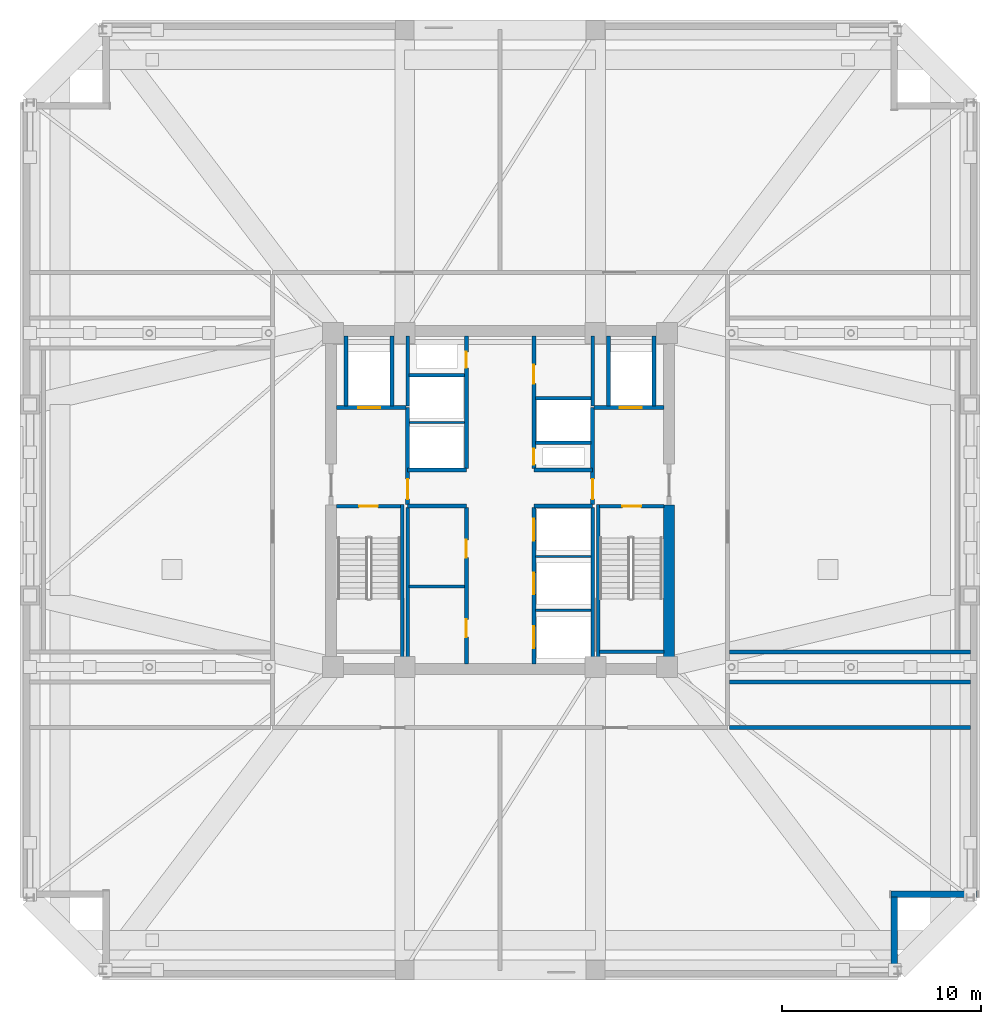
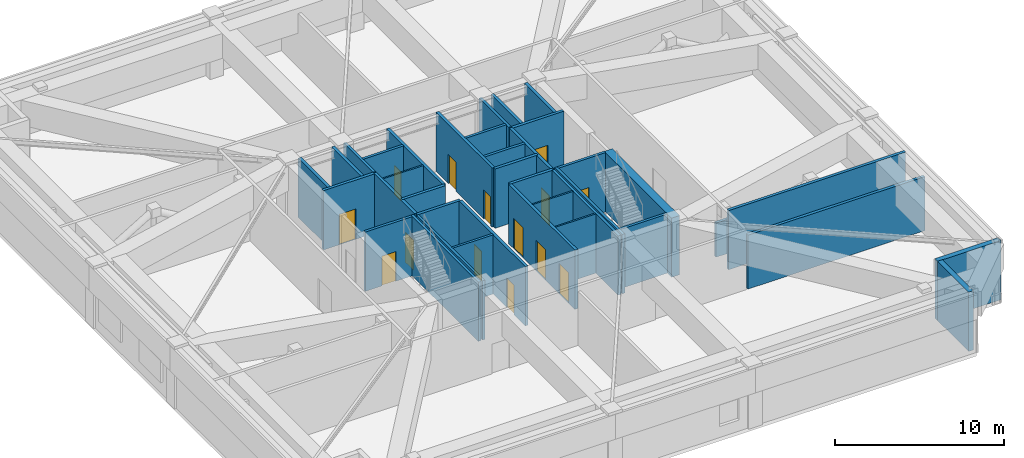
# One storey, part 8 of 13: 38 walls, 14 doors, 14 openings.
"""IFC4 building model written with IfcOpenShell, lengths in metres."""

from ifc_helpers import new_model, si_unit, direction, frame, frame_2d, origin, place, context, subcontext, project, spatial, rectangle, extrude, material, layer, layer_set, type_object, element, fill, save


model = new_model("IFC4")

# Units and contexts
model_context = context("Model", 3, precision=1e-05, world=origin(), true_north=direction((0.0, 1.0)))
body_context = subcontext(model_context, "Body", "Model", "MODEL_VIEW")
ifc_project = project(units=[si_unit("LENGTHUNIT", "METRE"), si_unit("AREAUNIT", "SQUARE_METRE"), si_unit("VOLUMEUNIT", "CUBIC_METRE"), si_unit("PLANEANGLEUNIT", "RADIAN"), si_unit("MASSUNIT", "GRAM", prefix="KILO")], contexts=[model_context])

# Site, building, storey
site_placement = place(None, origin())
site = spatial("IfcSite", under=ifc_project, at=site_placement, CompositionType="ELEMENT")
building_placement = place(site_placement, origin())
building = spatial("IfcBuilding", under=site, at=building_placement, Name="Cairnveth Concourse Tower", CompositionType="ELEMENT")
storey_placement = place(building_placement, frame((0.0, 0.0, 193.5)))
storey = spatial("IfcBuildingStorey", under=building, at=storey_placement, Name="L53", CompositionType="ELEMENT", Elevation=193.5)

# Walls
ifc_material_1 = material(Name="Gypsum Plasterboard Partition", Category="gypsum")
ifc_layer_1 = layer(ifc_material_1, 0.159912109375)
ifc_layer_set_1 = layer_set([ifc_layer_1], Name="Gypsum Plasterboard Partition")
wall_type_1 = type_object("IfcWallType", Name="ACOUSTIC PARTY WALL 180", PredefinedType="PARTITIONING", material=ifc_layer_set_1)
wall_1_placement = place(storey_placement, frame((47.35009765625, 30.760009765625, 0.0), z_axis=(0.0, 0.0, 1.0), x_axis=(0.0, 1.0, 0.0)))
element("IfcWall", 1, at=wall_1_placement, inside=storey, type_object=wall_type_1, Name="Interior Wall IW-L53-025", PredefinedType="PARTITIONING", context=body_context, shape_type="SweptSolid", body=[
    extrude(rectangle(XDim=7.85498046875, YDim=0.159912109375, at=frame_2d((3.927490234375, 0.0))), origin(), (0.0, 0.0, 1.0), 4.2900390625),
])
wall_2_placement = place(storey_placement, frame((47.4150390625, 34.64990234375, 0.0), z_axis=(0.0, 0.0, 1.0), x_axis=(1.0, 0.0, 0.0)))
element("IfcWall", 2, at=wall_2_placement, inside=storey, type_object=wall_type_1, Name="Interior Wall IW-L53-026", PredefinedType="PARTITIONING", context=body_context, shape_type="SweptSolid", body=[
    extrude(rectangle(XDim=2.800048828125, YDim=0.159912109375, at=frame_2d((1.39990234375, 0.0))), origin(), (0.0, 0.0, 1.0), 4.2900390625),
])
ifc_material_2 = material(Name="Concrete N80 (80 MPa)", Category="concrete")
ifc_layer_2 = layer(ifc_material_2, 0.550048828125)
ifc_layer_set_2 = layer_set([ifc_layer_2], Name="Concrete N80 (80 MPa)")
wall_type_2 = type_object("IfcWallType", Name="CORE SHEAR WALL 550", PredefinedType="SHEAR", material=ifc_layer_set_2)
wall_3_placement = place(storey_placement, frame((60.5, 30.764892578125, 0.0), z_axis=(0.0, 0.0, 1.0), x_axis=(0.0, 1.0, 0.0)))
element("IfcWall", 3, at=wall_3_placement, inside=storey, type_object=wall_type_2, Name="Core East Shear Wall S L53", PredefinedType="SHEAR", context=body_context, shape_type="SweptSolid", body=[
    extrude(rectangle(XDim=7.985107421875, YDim=0.550048828125, at=frame_2d((3.99267578125, 0.0))), origin(), (0.0, 0.0, 1.0), 4.2900390625),
])
ifc_material_3 = material(Name="Concrete N50 (50 MPa)", Category="concrete")
ifc_layer_3 = layer(ifc_material_3, 0.179931640625)
ifc_layer_set_3 = layer_set([ifc_layer_3], Name="Concrete N50 (50 MPa)")
wall_type_3 = type_object("IfcWallType", Name="FIRE SHAFT WALL 180", PredefinedType="SOLIDWALL", material=ifc_layer_set_3)
wall_4_placement = place(storey_placement, frame((56.64990234375, 30.760009765625, 0.0), z_axis=(0.0, 0.0, 1.0), x_axis=(0.0, 1.0, 0.0)))
element("IfcWall", 4, at=wall_4_placement, inside=storey, type_object=wall_type_3, Name="Interior Wall IW-L53-027", PredefinedType="SOLIDWALL", context=body_context, shape_type="SweptSolid", body=[
    extrude(rectangle(XDim=7.85498046875, YDim=0.179931640625, at=frame_2d((3.927490234375, 0.0))), origin(), (0.0, 0.0, 1.0), 4.2900390625),
])
wall_5_placement = place(storey_placement, frame((47.35009765625, 43.735107421875, 0.0), z_axis=(0.0, 0.0, 1.0), x_axis=(0.0, 1.0, 0.0)))
element("IfcWall", 5, at=wall_5_placement, inside=storey, type_object=wall_type_3, Name="Interior Wall IW-L53-030", PredefinedType="SOLIDWALL", context=body_context, shape_type="SweptSolid", body=[
    extrude(rectangle(XDim=3.5048828125, YDim=0.179931640625, at=frame_2d((1.75244140625, 0.0))), origin(), (0.0, 0.0, 1.0), 4.2900390625),
])
wall_6_placement = place(storey_placement, frame((47.425048828125, 45.280029296875, 0.0), z_axis=(0.0, 0.0, 1.0), x_axis=(1.0, 0.0, 0.0)))
element("IfcWall", 6, at=wall_6_placement, inside=storey, type_object=wall_type_3, Name="Interior Wall IW-L53-032", PredefinedType="SOLIDWALL", context=body_context, shape_type="SweptSolid", body=[
    extrude(rectangle(XDim=2.7900390625, YDim=0.179931640625, at=frame_2d((1.39501953125, 0.0))), origin(), (0.0, 0.0, 1.0), 4.2900390625),
])
wall_7_placement = place(storey_placement, frame((56.64990234375, 43.735107421875, 0.0), z_axis=(0.0, 0.0, 1.0), x_axis=(0.0, 1.0, 0.0)))
element("IfcWall", 7, at=wall_7_placement, inside=storey, type_object=wall_type_3, Name="Interior Wall IW-L53-033", PredefinedType="SOLIDWALL", context=body_context, shape_type="SweptSolid", body=[
    extrude(rectangle(XDim=3.5048828125, YDim=0.179931640625, at=frame_2d((1.75244140625, 0.0))), origin(), (0.0, 0.0, 1.0), 4.2900390625),
])
wall_8_placement = place(storey_placement, frame((53.784912109375, 41.8798828125, 0.0), z_axis=(0.0, 0.0, 1.0), x_axis=(1.0, 0.0, 0.0)))
element("IfcWall", 8, at=wall_8_placement, inside=storey, type_object=wall_type_3, Name="Interior Wall IW-L53-034", PredefinedType="SOLIDWALL", context=body_context, shape_type="SweptSolid", body=[
    extrude(rectangle(XDim=2.780029296875, YDim=0.179931640625, at=frame_2d((1.39013671875, 0.0))), origin(), (0.0, 0.0, 1.0), 4.2900390625),
])
wall_9_placement = place(storey_placement, frame((53.784912109375, 44.1201171875, 0.0), z_axis=(0.0, 0.0, 1.0), x_axis=(1.0, 0.0, 0.0)))
element("IfcWall", 9, at=wall_9_placement, inside=storey, type_object=wall_type_3, Name="Interior Wall IW-L53-035", PredefinedType="SOLIDWALL", context=body_context, shape_type="SweptSolid", body=[
    extrude(rectangle(XDim=2.7900390625, YDim=0.179931640625, at=frame_2d((1.39501953125, 0.0))), origin(), (0.0, 0.0, 1.0), 4.2900390625),
])

# Wall, opening, door
wall_10_placement = place(storey_placement, frame((43.764892578125, 38.68994140625, 0.0), z_axis=(0.0, 0.0, 1.0), x_axis=(1.0, 0.0, 0.0)))
wall_10 = element("IfcWall", 10, at=wall_10_placement, inside=storey, type_object=wall_type_3, Name="Stair ST-1 Shaft Wall NEAR L53", PredefinedType="SOLIDWALL", context=body_context, shape_type="SweptSolid", body=[
    extrude(rectangle(XDim=3.230224609375, YDim=0.179931640625, at=frame_2d((1.615234375, 0.0))), origin(), (0.0, 0.0, 1.0), 4.2900390625),
])
opening_1_placement = place(wall_10_placement, frame((1.139892578125, 0.0, 0.0)))
opening_1 = element("IfcOpeningElement", 11, at=opening_1_placement, cuts=wall_10, Name="Opening ID12", PredefinedType="OPENING", context=body_context, shape_type="SweptSolid", body=[
    extrude(rectangle(XDim=0.949951171875, YDim=2.14990234375, at=frame_2d((0.47509765625, 1.074951171875))), frame((0.0, 0.099853515625, 0.0), z_axis=(0.0, -1.0, 0.0), x_axis=(1.0, 0.0, 0.0)), (0.0, 0.0, 1.0), 0.199951171875),
])
ifc_material_4 = material(Name="Steel Grade 350", Category="steel")
door_type_1 = type_object("IfcDoorType", Name="FIRE STAIR DOOR 950X2150", OperationType="NOTDEFINED", PredefinedType="DOOR", material=ifc_material_4)
door_1_placement = place(opening_1_placement, origin())
door_1 = element("IfcDoor", 12, at=door_1_placement, inside=storey, type_object=door_type_1, Name="Stair ST-1 Fire Door L53", OperationType="SINGLE_SWING_LEFT", OverallHeight=2.14990234375, OverallWidth=0.949951171875, PredefinedType="DOOR", context=body_context, shape_type="SweptSolid", body=[
    extrude(rectangle(XDim=0.949951171875, YDim=2.14990234375, at=frame_2d((0.47509765625, 1.074951171875))), frame((0.0, 0.02490234375, 0.0), z_axis=(0.0, -1.0, 0.0), x_axis=(1.0, 0.0, 0.0)), (0.0, 0.0, 1.0), 0.050048828125),
])
fill(opening_1, door_1)

# Wall
wall_11_placement = place(storey_placement, frame((47.070068359375, 38.780029296875, 0.0), z_axis=(0.0, 0.0, 1.0), x_axis=(0.0, -1.0, 0.0)))
element("IfcWall", 13, at=wall_11_placement, inside=storey, type_object=wall_type_3, Name="Stair ST-1 Shaft Wall RGHT L53", PredefinedType="SOLIDWALL", context=body_context, shape_type="SweptSolid", body=[
    extrude(rectangle(XDim=8.01708984375, YDim=0.179931640625, at=frame_2d((4.008544921875, 0.0))), origin(), (0.0, 0.0, 1.0), 4.2900390625),
])

# Wall, opening, door
wall_12_placement = place(storey_placement, frame((57.0048828125, 38.68994140625, 0.0), z_axis=(0.0, 0.0, 1.0), x_axis=(1.0, 0.0, 0.0)))
wall_12 = element("IfcWall", 14, at=wall_12_placement, inside=storey, type_object=wall_type_3, Name="Stair ST-2 Shaft Wall NEAR L53", PredefinedType="SOLIDWALL", context=body_context, shape_type="SweptSolid", body=[
    extrude(rectangle(XDim=3.230224609375, YDim=0.179931640625, at=frame_2d((1.615234375, 0.0))), origin(), (0.0, 0.0, 1.0), 4.2900390625),
])
opening_2_placement = place(wall_12_placement, frame((1.139892578125, 0.0, 0.0)))
opening_2 = element("IfcOpeningElement", 15, at=opening_2_placement, cuts=wall_12, Name="Opening ID12", PredefinedType="OPENING", context=body_context, shape_type="SweptSolid", body=[
    extrude(rectangle(XDim=0.949951171875, YDim=2.14990234375, at=frame_2d((0.47509765625, 1.074951171875))), frame((0.0, 0.099853515625, 0.0), z_axis=(0.0, -1.0, 0.0), x_axis=(1.0, 0.0, 0.0)), (0.0, 0.0, 1.0), 0.199951171875),
])
door_2_placement = place(opening_2_placement, origin())
door_2 = element("IfcDoor", 16, at=door_2_placement, inside=storey, type_object=door_type_1, Name="Stair ST-2 Fire Door L53", OperationType="SINGLE_SWING_RIGHT", OverallHeight=2.14990234375, OverallWidth=0.949951171875, PredefinedType="DOOR", context=body_context, shape_type="SweptSolid", body=[
    extrude(rectangle(XDim=0.949951171875, YDim=2.14990234375, at=frame_2d((0.47509765625, 1.074951171875))), frame((0.0, 0.02490234375, 0.0), z_axis=(0.0, -1.0, 0.0), x_axis=(1.0, 0.0, 0.0)), (0.0, 0.0, 1.0), 0.050048828125),
])
fill(opening_2, door_2)

# Walls
wall_13_placement = place(storey_placement, frame((57.0048828125, 31.360107421875, 0.0), z_axis=(0.0, 0.0, 1.0), x_axis=(1.0, 0.0, 0.0)))
element("IfcWall", 17, at=wall_13_placement, inside=storey, type_object=wall_type_3, Name="Stair ST-2 Shaft Wall FAR L53", PredefinedType="SOLIDWALL", context=body_context, shape_type="SweptSolid", body=[
    extrude(rectangle(XDim=3.230224609375, YDim=0.179931640625, at=frame_2d((1.615234375, 0.0))), origin(), (0.0, 0.0, 1.0), 4.2900390625),
])
wall_14_placement = place(storey_placement, frame((56.929931640625, 38.780029296875, 0.0), z_axis=(0.0, 0.0, 1.0), x_axis=(0.0, -1.0, 0.0)))
element("IfcWall", 18, at=wall_14_placement, inside=storey, type_object=wall_type_3, Name="Stair ST-2 Shaft Wall LEFT L53", PredefinedType="SOLIDWALL", context=body_context, shape_type="SweptSolid", body=[
    extrude(rectangle(XDim=8.01708984375, YDim=0.179931640625, at=frame_2d((4.008544921875, 0.0))), origin(), (0.0, 0.0, 1.0), 4.2900390625),
])
ifc_layer_4 = layer(ifc_material_3, 0.199951171875)
ifc_layer_set_4 = layer_set([ifc_layer_4], Name="Concrete N50 (50 MPa)")
wall_type_4 = type_object("IfcWallType", Name="FIRE SHAFT WALL 200", PredefinedType="SOLIDWALL", material=ifc_layer_set_4)
for number, where, z_axis, x_axis, name in (
    (19, (47.35009765625, 38.699951171875, 0.0), (0.0, 0.0, 1.0), (1.0, 0.0, 0.0), "Interior Wall IW-L53-007"),
    (20, (47.35009765625, 40.5, 0.0), (0.0, 0.0, 1.0), (1.0, 0.0, 0.0), "Interior Wall IW-L53-008"),
    (21, (53.699951171875, 38.699951171875, 0.0), (0.0, 0.0, 1.0), (1.0, 0.0, 0.0), "Interior Wall IW-L53-009"),
    (22, (53.699951171875, 40.5, 0.0), (0.0, 0.0, 1.0), (1.0, 0.0, 0.0), "Interior Wall IW-L53-010"),
):
    element("IfcWall", number, at=place(storey_placement, frame(where, z_axis=z_axis, x_axis=x_axis)), inside=storey, type_object=wall_type_4, Name=name, PredefinedType="SOLIDWALL", context=body_context, shape_type="SweptSolid", body=[
        extrude(rectangle(XDim=2.949951171875, YDim=0.199951171875, at=frame_2d((1.47509765625, 0.0))), origin(), (0.0, 0.0, 1.0), 4.2900390625),
    ])

# Wall, openings, doors
wall_15_placement = place(storey_placement, frame((50.300048828125, 30.760009765625, 0.0), z_axis=(0.0, 0.0, 1.0), x_axis=(0.0, 1.0, 0.0)))
wall_15 = element("IfcWall", 23, at=wall_15_placement, inside=storey, type_object=wall_type_4, Name="Interior Wall IW-L53-011", PredefinedType="SOLIDWALL", context=body_context, shape_type="SweptSolid", body=[
    extrude(rectangle(XDim=7.85498046875, YDim=0.199951171875, at=frame_2d((3.927490234375, 0.0))), origin(), (0.0, 0.0, 1.0), 4.2900390625),
])
opening_3_placement = place(wall_15_placement, frame((1.340087890625, 0.0, 0.0)))
opening_3 = element("IfcOpeningElement", 24, at=opening_3_placement, cuts=wall_15, Name="Opening ID26", PredefinedType="OPENING", context=body_context, shape_type="SweptSolid", body=[
    extrude(rectangle(XDim=0.89990234375, YDim=2.1201171875, at=frame_2d((0.449951171875, 1.06005859375))), frame((0.0, 0.10986328125, 0.0), z_axis=(0.0, -1.0, 0.0), x_axis=(1.0, 0.0, 0.0)), (0.0, 0.0, 1.0), 0.219970703125),
])
opening_4_placement = place(wall_15_placement, frame((5.340087890625, 0.0, 0.0)))
opening_4 = element("IfcOpeningElement", 25, at=opening_4_placement, cuts=wall_15, Name="Opening ID26", PredefinedType="OPENING", context=body_context, shape_type="SweptSolid", body=[
    extrude(rectangle(XDim=0.89990234375, YDim=2.1201171875, at=frame_2d((0.449951171875, 1.06005859375))), frame((0.0, 0.10986328125, 0.0), z_axis=(0.0, -1.0, 0.0), x_axis=(1.0, 0.0, 0.0)), (0.0, 0.0, 1.0), 0.219970703125),
])
door_type_2 = type_object("IfcDoorType", Name="CORE TOILET FIRE DOOR 900X2120", OperationType="NOTDEFINED", PredefinedType="DOOR", material=ifc_material_4)
door_3_placement = place(opening_3_placement, origin())
door_3 = element("IfcDoor", 26, at=door_3_placement, inside=storey, type_object=door_type_2, Name="Male WC Door L53", OperationType="SINGLE_SWING_LEFT", OverallHeight=2.1201171875, OverallWidth=0.89990234375, PredefinedType="DOOR", context=body_context, shape_type="SweptSolid", body=[
    extrude(rectangle(XDim=0.89990234375, YDim=2.1201171875, at=frame_2d((0.449951171875, 1.06005859375))), frame((0.0, 0.02490234375, 0.0), z_axis=(0.0, -1.0, 0.0), x_axis=(1.0, 0.0, 0.0)), (0.0, 0.0, 1.0), 0.050048828125),
])
fill(opening_3, door_3)
door_4_placement = place(opening_4_placement, origin())
door_4 = element("IfcDoor", 27, at=door_4_placement, inside=storey, type_object=door_type_2, Name="Female WC Door L53", OperationType="SINGLE_SWING_RIGHT", OverallHeight=2.1201171875, OverallWidth=0.89990234375, PredefinedType="DOOR", context=body_context, shape_type="SweptSolid", body=[
    extrude(rectangle(XDim=0.89990234375, YDim=2.1201171875, at=frame_2d((0.449951171875, 1.06005859375))), frame((0.0, 0.02490234375, 0.0), z_axis=(0.0, -1.0, 0.0), x_axis=(1.0, 0.0, 0.0)), (0.0, 0.0, 1.0), 0.050048828125),
])
fill(opening_4, door_4)

wall_16_placement = place(storey_placement, frame((53.699951171875, 30.760009765625, 0.0), z_axis=(0.0, 0.0, 1.0), x_axis=(0.0, 1.0, 0.0)))
wall_16 = element("IfcWall", 28, at=wall_16_placement, inside=storey, type_object=wall_type_4, Name="Interior Wall IW-L53-012", PredefinedType="SOLIDWALL", context=body_context, shape_type="SweptSolid", body=[
    extrude(rectangle(XDim=7.85498046875, YDim=0.199951171875, at=frame_2d((3.927490234375, 0.0))), origin(), (0.0, 0.0, 1.0), 4.2900390625),
])
opening_5_placement = place(wall_16_placement, frame((0.7900390625, 0.0, 0.0)))
opening_5 = element("IfcOpeningElement", 29, at=opening_5_placement, cuts=wall_16, Name="Opening LD-1", PredefinedType="OPENING", context=body_context, shape_type="SweptSolid", body=[
    extrude(rectangle(XDim=1.10009765625, YDim=2.199951171875, at=frame_2d((0.550048828125, 1.10009765625))), frame((0.0, 0.10986328125, 0.0), z_axis=(0.0, -1.0, 0.0), x_axis=(1.0, 0.0, 0.0)), (0.0, 0.0, 1.0), 0.219970703125),
])
opening_6_placement = place(wall_16_placement, frame((3.489990234375, 0.0, 0.0)))
opening_6 = element("IfcOpeningElement", 30, at=opening_6_placement, cuts=wall_16, Name="Opening LD-1", PredefinedType="OPENING", context=body_context, shape_type="SweptSolid", body=[
    extrude(rectangle(XDim=1.10009765625, YDim=2.199951171875, at=frame_2d((0.550048828125, 1.10009765625))), frame((0.0, 0.10986328125, 0.0), z_axis=(0.0, -1.0, 0.0), x_axis=(1.0, 0.0, 0.0)), (0.0, 0.0, 1.0), 0.219970703125),
])
opening_7_placement = place(wall_16_placement, frame((6.18994140625, 0.0, 0.0)))
opening_7 = element("IfcOpeningElement", 31, at=opening_7_placement, cuts=wall_16, Name="Opening LD-1", PredefinedType="OPENING", context=body_context, shape_type="SweptSolid", body=[
    extrude(rectangle(XDim=1.10009765625, YDim=2.199951171875, at=frame_2d((0.550048828125, 1.10009765625))), frame((0.0, 0.10986328125, 0.0), z_axis=(0.0, -1.0, 0.0), x_axis=(1.0, 0.0, 0.0)), (0.0, 0.0, 1.0), 0.219970703125),
])
ifc_material_5 = material(Name="Architectural Bronze Anodised Aluminium 6063-T6", Category="aluminium")
door_type_3 = type_object("IfcDoorType", Name="LIFT LANDING DOOR 1100X2200", OperationType="SLIDING_TO_LEFT", PredefinedType="DOOR", material=ifc_material_5)
door_5_placement = place(opening_5_placement, origin())
door_5 = element("IfcDoor", 32, at=door_5_placement, inside=storey, type_object=door_type_3, Name="Lift PL4 Landing Door L53", OperationType="SLIDING_TO_LEFT", OverallHeight=2.199951171875, OverallWidth=1.10009765625, PredefinedType="DOOR", context=body_context, shape_type="SweptSolid", body=[
    extrude(rectangle(XDim=1.10009765625, YDim=2.199951171875, at=frame_2d((0.550048828125, 1.10009765625))), frame((0.0, 0.02490234375, 0.0), z_axis=(0.0, -1.0, 0.0), x_axis=(1.0, 0.0, 0.0)), (0.0, 0.0, 1.0), 0.050048828125),
])
fill(opening_5, door_5)
door_6_placement = place(opening_6_placement, origin())
door_6 = element("IfcDoor", 33, at=door_6_placement, inside=storey, type_object=door_type_3, Name="Lift PL5 Landing Door L53", OperationType="SLIDING_TO_LEFT", OverallHeight=2.199951171875, OverallWidth=1.10009765625, PredefinedType="DOOR", context=body_context, shape_type="SweptSolid", body=[
    extrude(rectangle(XDim=1.10009765625, YDim=2.199951171875, at=frame_2d((0.550048828125, 1.10009765625))), frame((0.0, 0.02490234375, 0.0), z_axis=(0.0, -1.0, 0.0), x_axis=(1.0, 0.0, 0.0)), (0.0, 0.0, 1.0), 0.050048828125),
])
fill(opening_6, door_6)
door_7_placement = place(opening_7_placement, origin())
door_7 = element("IfcDoor", 34, at=door_7_placement, inside=storey, type_object=door_type_3, Name="Lift PL6 Landing Door L53", OperationType="SLIDING_TO_LEFT", OverallHeight=2.199951171875, OverallWidth=1.10009765625, PredefinedType="DOOR", context=body_context, shape_type="SweptSolid", body=[
    extrude(rectangle(XDim=1.10009765625, YDim=2.199951171875, at=frame_2d((0.550048828125, 1.10009765625))), frame((0.0, 0.02490234375, 0.0), z_axis=(0.0, -1.0, 0.0), x_axis=(1.0, 0.0, 0.0)), (0.0, 0.0, 1.0), 0.050048828125),
])
fill(opening_7, door_7)

# Wall, opening, door
wall_17_placement = place(storey_placement, frame((50.300048828125, 40.5849609375, 0.0), z_axis=(0.0, 0.0, 1.0), x_axis=(0.0, 1.0, 0.0)))
wall_17 = element("IfcWall", 35, at=wall_17_placement, inside=storey, type_object=wall_type_4, Name="Interior Wall IW-L53-013", PredefinedType="SOLIDWALL", context=body_context, shape_type="SweptSolid", body=[
    extrude(rectangle(XDim=6.655029296875, YDim=0.199951171875, at=frame_2d((3.32763671875, 0.0))), origin(), (0.0, 0.0, 1.0), 4.2900390625),
])
opening_8_placement = place(wall_17_placement, frame((5.06494140625, 0.0, 0.0)))
opening_8 = element("IfcOpeningElement", 36, at=opening_8_placement, cuts=wall_17, Name="Opening ID24", PredefinedType="OPENING", context=body_context, shape_type="SweptSolid", body=[
    extrude(rectangle(XDim=0.800048828125, YDim=2.080078125, at=frame_2d((0.39990234375, 1.0400390625))), frame((0.0, 0.10986328125, 0.0), z_axis=(0.0, -1.0, 0.0), x_axis=(1.0, 0.0, 0.0)), (0.0, 0.0, 1.0), 0.219970703125),
])
door_type_4 = type_object("IfcDoorType", Name="RISER ACCESS DOOR 800X2100", OperationType="NOTDEFINED", PredefinedType="DOOR", material=ifc_material_4)
door_8_placement = place(opening_8_placement, origin())
door_8 = element("IfcDoor", 37, at=door_8_placement, inside=storey, type_object=door_type_4, Name="NW Electrical Riser Access Door L53", OperationType="SINGLE_SWING_RIGHT", OverallHeight=2.080078125, OverallWidth=0.800048828125, PredefinedType="DOOR", context=body_context, shape_type="SweptSolid", body=[
    extrude(rectangle(XDim=0.800048828125, YDim=2.080078125, at=frame_2d((0.39990234375, 1.0400390625))), frame((0.0, 0.02490234375, 0.0), z_axis=(0.0, -1.0, 0.0), x_axis=(1.0, 0.0, 0.0)), (0.0, 0.0, 1.0), 0.050048828125),
])
fill(opening_8, door_8)

# Wall, openings, doors
wall_18_placement = place(storey_placement, frame((53.699951171875, 40.5849609375, 0.0), z_axis=(0.0, 0.0, 1.0), x_axis=(0.0, 1.0, 0.0)))
wall_18 = element("IfcWall", 38, at=wall_18_placement, inside=storey, type_object=wall_type_4, Name="Interior Wall IW-L53-014", PredefinedType="SOLIDWALL", context=body_context, shape_type="SweptSolid", body=[
    extrude(rectangle(XDim=6.655029296875, YDim=0.199951171875, at=frame_2d((3.32763671875, 0.0))), origin(), (0.0, 0.0, 1.0), 4.2900390625),
])
opening_9_placement = place(wall_18_placement, frame((0.195068359375, 0.0, 0.0)))
opening_9 = element("IfcOpeningElement", 39, at=opening_9_placement, cuts=wall_18, Name="Opening ID24", PredefinedType="OPENING", context=body_context, shape_type="SweptSolid", body=[
    extrude(rectangle(XDim=0.800048828125, YDim=2.080078125, at=frame_2d((0.39990234375, 1.0400390625))), frame((0.0, 0.10986328125, 0.0), z_axis=(0.0, -1.0, 0.0), x_axis=(1.0, 0.0, 0.0)), (0.0, 0.0, 1.0), 0.219970703125),
])
opening_10_placement = place(wall_18_placement, frame((4.264892578125, 0.0, 0.0)))
opening_10 = element("IfcOpeningElement", 40, at=opening_10_placement, cuts=wall_18, Name="Opening ID25", PredefinedType="OPENING", context=body_context, shape_type="SweptSolid", body=[
    extrude(rectangle(XDim=0.949951171875, YDim=2.1201171875, at=frame_2d((0.47509765625, 1.06005859375))), frame((0.0, 0.10986328125, 0.0), z_axis=(0.0, -1.0, 0.0), x_axis=(1.0, 0.0, 0.0)), (0.0, 0.0, 1.0), 0.219970703125),
])
door_type_5 = type_object("IfcDoorType", Name="CORE ACCESSIBLE FIRE DOOR 950X2120", OperationType="NOTDEFINED", PredefinedType="DOOR", material=ifc_material_4)
door_9_placement = place(opening_10_placement, origin())
door_9 = element("IfcDoor", 41, at=door_9_placement, inside=storey, type_object=door_type_5, Name="Core NE Accessible WC Door L53", OperationType="SINGLE_SWING_RIGHT", OverallHeight=2.1201171875, OverallWidth=0.949951171875, PredefinedType="DOOR", context=body_context, shape_type="SweptSolid", body=[
    extrude(rectangle(XDim=0.949951171875, YDim=2.1201171875, at=frame_2d((0.47509765625, 1.06005859375))), frame((0.0, 0.02490234375, 0.0), z_axis=(0.0, -1.0, 0.0), x_axis=(1.0, 0.0, 0.0)), (0.0, 0.0, 1.0), 0.050048828125),
])
fill(opening_10, door_9)
door_10_placement = place(opening_9_placement, origin())
door_10 = element("IfcDoor", 42, at=door_10_placement, inside=storey, type_object=door_type_4, Name="Hydraulic Riser Door L53", OperationType="SINGLE_SWING_LEFT", OverallHeight=2.080078125, OverallWidth=0.800048828125, PredefinedType="DOOR", context=body_context, shape_type="SweptSolid", body=[
    extrude(rectangle(XDim=0.800048828125, YDim=2.080078125, at=frame_2d((0.39990234375, 1.0400390625))), frame((0.0, 0.02490234375, 0.0), z_axis=(0.0, -1.0, 0.0), x_axis=(1.0, 0.0, 0.0)), (0.0, 0.0, 1.0), 0.050048828125),
])
fill(opening_9, door_10)

# Wall, opening, door
wall_19_placement = place(storey_placement, frame((47.35009765625, 38.784912109375, 0.0), z_axis=(0.0, 0.0, 1.0), x_axis=(0.0, 1.0, 0.0)))
wall_19 = element("IfcWall", 43, at=wall_19_placement, inside=storey, type_object=wall_type_4, Name="Interior Wall IW-L53-016", PredefinedType="SOLIDWALL", context=body_context, shape_type="SweptSolid", body=[
    extrude(rectangle(XDim=4.864990234375, YDim=0.199951171875, at=frame_2d((2.4326171875, 0.0))), origin(), (0.0, 0.0, 1.0), 4.2900390625),
])
opening_11_placement = place(wall_19_placement, frame((0.264892578125, 0.0, 0.0)))
opening_11 = element("IfcOpeningElement", 44, at=opening_11_placement, cuts=wall_19, Name="Opening ID07", PredefinedType="OPENING", context=body_context, shape_type="SweptSolid", body=[
    extrude(rectangle(XDim=1.0, YDim=2.14990234375, at=frame_2d((0.5, 1.074951171875))), frame((0.0, 0.10986328125, 0.0), z_axis=(0.0, -1.0, 0.0), x_axis=(1.0, 0.0, 0.0)), (0.0, 0.0, 1.0), 0.219970703125),
])
door_type_6 = type_object("IfcDoorType", Name="FIRE CORRIDOR DOOR 1000X2150", OperationType="NOTDEFINED", PredefinedType="DOOR", material=ifc_material_4)
door_11_placement = place(opening_11_placement, origin())
door_11 = element("IfcDoor", 45, at=door_11_placement, inside=storey, type_object=door_type_6, Name="FF Lobby West to Lift Lobby Door L53", OperationType="SINGLE_SWING_RIGHT", OverallHeight=2.14990234375, OverallWidth=1.0, PredefinedType="DOOR", context=body_context, shape_type="SweptSolid", body=[
    extrude(rectangle(XDim=1.0, YDim=2.14990234375, at=frame_2d((0.5, 1.074951171875))), frame((0.0, 0.02490234375, 0.0), z_axis=(0.0, -1.0, 0.0), x_axis=(1.0, 0.0, 0.0)), (0.0, 0.0, 1.0), 0.050048828125),
])
fill(opening_11, door_11)

wall_20_placement = place(storey_placement, frame((43.760009765625, 43.64990234375, 0.0), z_axis=(0.0, 0.0, 1.0), x_axis=(1.0, 0.0, 0.0)))
wall_20 = element("IfcWall", 46, at=wall_20_placement, inside=storey, type_object=wall_type_4, Name="Interior Wall IW-L53-017", PredefinedType="SOLIDWALL", context=body_context, shape_type="SweptSolid", body=[
    extrude(rectangle(XDim=3.5048828125, YDim=0.199951171875, at=frame_2d((1.75244140625, 0.0))), origin(), (0.0, 0.0, 1.0), 4.2900390625),
])
opening_12_placement = place(wall_20_placement, frame((1.110107421875, 0.0, 0.0)))
opening_12 = element("IfcOpeningElement", 47, at=opening_12_placement, cuts=wall_20, Name="Opening LD-1", PredefinedType="OPENING", context=body_context, shape_type="SweptSolid", body=[
    extrude(rectangle(XDim=1.10009765625, YDim=2.199951171875, at=frame_2d((0.550048828125, 1.10009765625))), frame((0.0, 0.10986328125, 0.0), z_axis=(0.0, -1.0, 0.0), x_axis=(1.0, 0.0, 0.0)), (0.0, 0.0, 1.0), 0.219970703125),
])
door_12_placement = place(opening_12_placement, origin())
door_12 = element("IfcDoor", 48, at=door_12_placement, inside=storey, type_object=door_type_3, Name="Lift FFL1 Landing Door L53", OperationType="SLIDING_TO_LEFT", OverallHeight=2.199951171875, OverallWidth=1.10009765625, PredefinedType="DOOR", context=body_context, shape_type="SweptSolid", body=[
    extrude(rectangle(XDim=1.10009765625, YDim=2.199951171875, at=frame_2d((0.550048828125, 1.10009765625))), frame((0.0, 0.02490234375, 0.0), z_axis=(0.0, -1.0, 0.0), x_axis=(1.0, 0.0, 0.0)), (0.0, 0.0, 1.0), 0.050048828125),
])
fill(opening_12, door_12)

# Walls
for number, where, z_axis, x_axis, name in (
    (49, (46.550048828125, 43.735107421875, 0.0), (0.0, 0.0, 1.0), (0.0, 1.0, 0.0), "Interior Wall IW-L53-018"),
    (50, (44.25, 43.735107421875, 0.0), (0.0, 0.0, 1.0), (0.0, 1.0, 0.0), "Interior Wall IW-L53-019"),
):
    element("IfcWall", number, at=place(storey_placement, frame(where, z_axis=z_axis, x_axis=x_axis)), inside=storey, type_object=wall_type_4, Name=name, PredefinedType="SOLIDWALL", context=body_context, shape_type="SweptSolid", body=[
        extrude(rectangle(XDim=3.5048828125, YDim=0.199951171875, at=frame_2d((1.75244140625, 0.0))), origin(), (0.0, 0.0, 1.0), 4.2900390625),
    ])

# Wall, opening, door
wall_21_placement = place(storey_placement, frame((56.64990234375, 38.784912109375, 0.0), z_axis=(0.0, 0.0, 1.0), x_axis=(0.0, 1.0, 0.0)))
wall_21 = element("IfcWall", 51, at=wall_21_placement, inside=storey, type_object=wall_type_4, Name="Interior Wall IW-L53-021", PredefinedType="SOLIDWALL", context=body_context, shape_type="SweptSolid", body=[
    extrude(rectangle(XDim=4.864990234375, YDim=0.199951171875, at=frame_2d((2.4326171875, 0.0))), origin(), (0.0, 0.0, 1.0), 4.2900390625),
])
opening_13_placement = place(wall_21_placement, frame((0.264892578125, 0.0, 0.0)))
opening_13 = element("IfcOpeningElement", 52, at=opening_13_placement, cuts=wall_21, Name="Opening ID07", PredefinedType="OPENING", context=body_context, shape_type="SweptSolid", body=[
    extrude(rectangle(XDim=1.0, YDim=2.14990234375, at=frame_2d((0.5, 1.074951171875))), frame((0.0, 0.10986328125, 0.0), z_axis=(0.0, -1.0, 0.0), x_axis=(1.0, 0.0, 0.0)), (0.0, 0.0, 1.0), 0.219970703125),
])
door_13_placement = place(opening_13_placement, origin())
door_13 = element("IfcDoor", 53, at=door_13_placement, inside=storey, type_object=door_type_6, Name="FF Lobby East to Lift Lobby Door L53", OperationType="SINGLE_SWING_LEFT", OverallHeight=2.14990234375, OverallWidth=1.0, PredefinedType="DOOR", context=body_context, shape_type="SweptSolid", body=[
    extrude(rectangle(XDim=1.0, YDim=2.14990234375, at=frame_2d((0.5, 1.074951171875))), frame((0.0, 0.02490234375, 0.0), z_axis=(0.0, -1.0, 0.0), x_axis=(1.0, 0.0, 0.0)), (0.0, 0.0, 1.0), 0.050048828125),
])
fill(opening_13, door_13)

wall_22_placement = place(storey_placement, frame((56.735107421875, 43.64990234375, 0.0), z_axis=(0.0, 0.0, 1.0), x_axis=(1.0, 0.0, 0.0)))
wall_22 = element("IfcWall", 54, at=wall_22_placement, inside=storey, type_object=wall_type_4, Name="Interior Wall IW-L53-022", PredefinedType="SOLIDWALL", context=body_context, shape_type="SweptSolid", body=[
    extrude(rectangle(XDim=3.5048828125, YDim=0.199951171875, at=frame_2d((1.75244140625, 0.0))), origin(), (0.0, 0.0, 1.0), 4.2900390625),
])
opening_14_placement = place(wall_22_placement, frame((1.294921875, 0.0, 0.0)))
opening_14 = element("IfcOpeningElement", 55, at=opening_14_placement, cuts=wall_22, Name="Opening LD-1", PredefinedType="OPENING", context=body_context, shape_type="SweptSolid", body=[
    extrude(rectangle(XDim=1.10009765625, YDim=2.199951171875, at=frame_2d((0.550048828125, 1.10009765625))), frame((0.0, 0.10986328125, 0.0), z_axis=(0.0, -1.0, 0.0), x_axis=(1.0, 0.0, 0.0)), (0.0, 0.0, 1.0), 0.219970703125),
])
door_14_placement = place(opening_14_placement, origin())
door_14 = element("IfcDoor", 56, at=door_14_placement, inside=storey, type_object=door_type_3, Name="Lift FFL2 Landing Door L53", OperationType="SLIDING_TO_LEFT", OverallHeight=2.199951171875, OverallWidth=1.10009765625, PredefinedType="DOOR", context=body_context, shape_type="SweptSolid", body=[
    extrude(rectangle(XDim=1.10009765625, YDim=2.199951171875, at=frame_2d((0.550048828125, 1.10009765625))), frame((0.0, 0.02490234375, 0.0), z_axis=(0.0, -1.0, 0.0), x_axis=(1.0, 0.0, 0.0)), (0.0, 0.0, 1.0), 0.050048828125),
])
fill(opening_14, door_14)

# Walls
for number, where, z_axis, x_axis, name in (
    (57, (57.449951171875, 43.735107421875, 0.0), (0.0, 0.0, 1.0), (0.0, 1.0, 0.0), "Interior Wall IW-L53-023"),
    (58, (59.75, 43.735107421875, 0.0), (0.0, 0.0, 1.0), (0.0, 1.0, 0.0), "Interior Wall IW-L53-024"),
):
    element("IfcWall", number, at=place(storey_placement, frame(where, z_axis=z_axis, x_axis=x_axis)), inside=storey, type_object=wall_type_4, Name=name, PredefinedType="SOLIDWALL", context=body_context, shape_type="SweptSolid", body=[
        extrude(rectangle(XDim=3.5048828125, YDim=0.199951171875, at=frame_2d((1.75244140625, 0.0))), origin(), (0.0, 0.0, 1.0), 4.2900390625),
    ])
wall_23_placement = place(storey_placement, frame((63.550048828125, 29.85009765625, 0.0), z_axis=(0.0, 0.0, 1.0), x_axis=(1.0, 0.0, 0.0)))
element("IfcWall", 59, at=wall_23_placement, inside=storey, type_object=wall_type_4, Name="Interior Wall IW-L53-041", PredefinedType="SOLIDWALL", context=body_context, shape_type="SweptSolid", body=[
    extrude(rectangle(XDim=12.125, YDim=0.199951171875, at=frame_2d((6.0625, 0.0))), origin(), (0.0, 0.0, 1.0), 4.2900390625),
])
wall_24_placement = place(storey_placement, frame((63.550048828125, 31.35009765625, 0.0), z_axis=(0.0, 0.0, 1.0), x_axis=(1.0, 0.0, 0.0)))
element("IfcWall", 60, at=wall_24_placement, inside=storey, type_object=wall_type_4, Name="Interior Wall IW-L53-043", PredefinedType="SOLIDWALL", context=body_context, shape_type="SweptSolid", body=[
    extrude(rectangle(XDim=12.125, YDim=0.199951171875, at=frame_2d((6.0625, 0.0))), origin(), (0.0, 0.0, 1.0), 2.465087890625),
])
wall_25_placement = place(storey_placement, frame((63.550048828125, 27.550048828125, 0.0), z_axis=(0.0, 0.0, 1.0), x_axis=(1.0, 0.0, 0.0)))
element("IfcWall", 61, at=wall_25_placement, inside=storey, type_object=wall_type_4, Name="Interior Wall IW-L53-052", PredefinedType="SOLIDWALL", context=body_context, shape_type="SweptSolid", body=[
    extrude(rectangle(XDim=12.125, YDim=0.199951171875, at=frame_2d((6.0625, 0.0))), origin(), (0.0, 0.0, 1.0), 3.906005859375),
])
ifc_layer_5 = layer(ifc_material_1, 0.110107421875)
ifc_layer_set_5 = layer_set([ifc_layer_5], Name="Gypsum Plasterboard Partition")
wall_type_5 = type_object("IfcWallType", Name="SHAFT DIVIDER WALL 140", PredefinedType="PARTITIONING", material=ifc_layer_set_5)
for number, where, z_axis, x_axis, name in (
    (62, (53.784912109375, 33.449951171875, 0.0), (0.0, 0.0, 1.0), (1.0, 0.0, 0.0), "Interior Wall IW-L53-028"),
    (63, (53.784912109375, 36.14990234375, 0.0), (0.0, 0.0, 1.0), (1.0, 0.0, 0.0), "Interior Wall IW-L53-029"),
):
    element("IfcWall", number, at=place(storey_placement, frame(where, z_axis=z_axis, x_axis=x_axis)), inside=storey, type_object=wall_type_5, Name=name, PredefinedType="PARTITIONING", context=body_context, shape_type="SweptSolid", body=[
        extrude(rectangle(XDim=2.7900390625, YDim=0.110107421875, at=frame_2d((1.39501953125, 0.0))), origin(), (0.0, 0.0, 1.0), 4.2900390625),
    ])
wall_26_placement = place(storey_placement, frame((47.43505859375, 42.89990234375, 0.0), z_axis=(0.0, 0.0, 1.0), x_axis=(1.0, 0.0, 0.0)))
element("IfcWall", 64, at=wall_26_placement, inside=storey, type_object=wall_type_5, Name="Interior Wall IW-L53-031", PredefinedType="PARTITIONING", context=body_context, shape_type="SweptSolid", body=[
    extrude(rectangle(XDim=2.780029296875, YDim=0.110107421875, at=frame_2d((1.39013671875, 0.0))), origin(), (0.0, 0.0, 1.0), 4.2900390625),
])
ifc_material_6 = material(Name="Hawthorn Red-Ochre Fired Clay Brick Masonry", Category="masonry")
ifc_layer_6 = layer(ifc_material_6, 0.340087890625)
ifc_layer_set_6 = layer_set([ifc_layer_6], Name="Hawthorn Red-Ochre Fired Clay Brick Masonry")
wall_type_6 = type_object("IfcWallType", Name="ZONE 2 BRICK PIER SPANDREL WALL 340", PredefinedType="SOLIDWALL", material=ifc_layer_set_6)
wall_27_placement = place(storey_placement, frame((76.0, 19.169921875, 0.0), z_axis=(0.0, 0.0, 1.0), x_axis=(-1.0, 0.0, 0.0)))
element("IfcWall", 65, at=wall_27_placement, inside=storey, type_object=wall_type_6, Name="Exterior Wall EW-L53-S09", PredefinedType="SOLIDWALL", context=body_context, shape_type="SweptSolid", body=[
    extrude(rectangle(XDim=4.340087890625, YDim=0.340087890625, at=frame_2d((2.169921875, 0.0))), origin(), (0.0, 0.0, 1.0), 4.2900390625),
])
wall_28_placement = place(storey_placement, frame((71.830078125, 19.02197265625, 0.0), z_axis=(0.0, 0.0, 1.0), x_axis=(0.0, -1.0, 0.0)))
element("IfcWall", 66, at=wall_28_placement, inside=storey, type_object=wall_type_6, Name="Exterior Wall EW-L53-S10", PredefinedType="SOLIDWALL", context=body_context, shape_type="SweptSolid", body=[
    extrude(rectangle(XDim=3.703857421875, YDim=0.340087890625, at=frame_2d((1.85205078125, 0.0))), origin(), (0.0, 0.0, 1.0), 4.2900390625),
])

save(model, "model.ifc")
